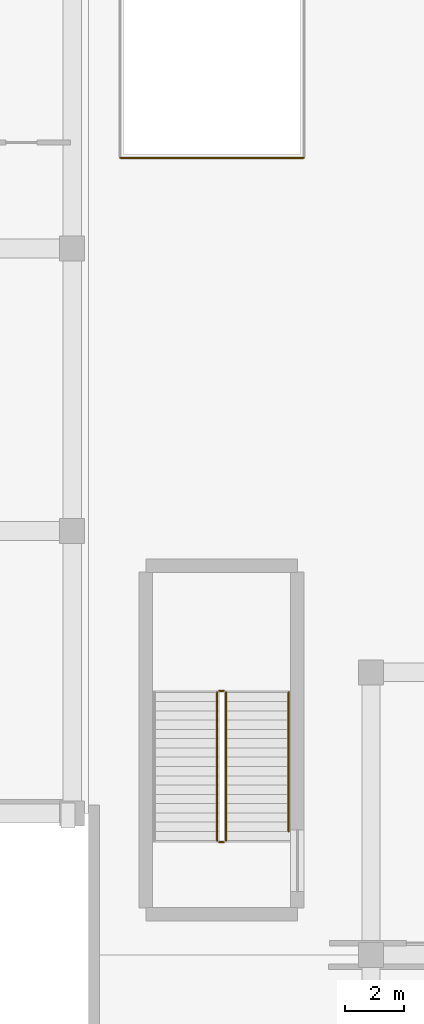
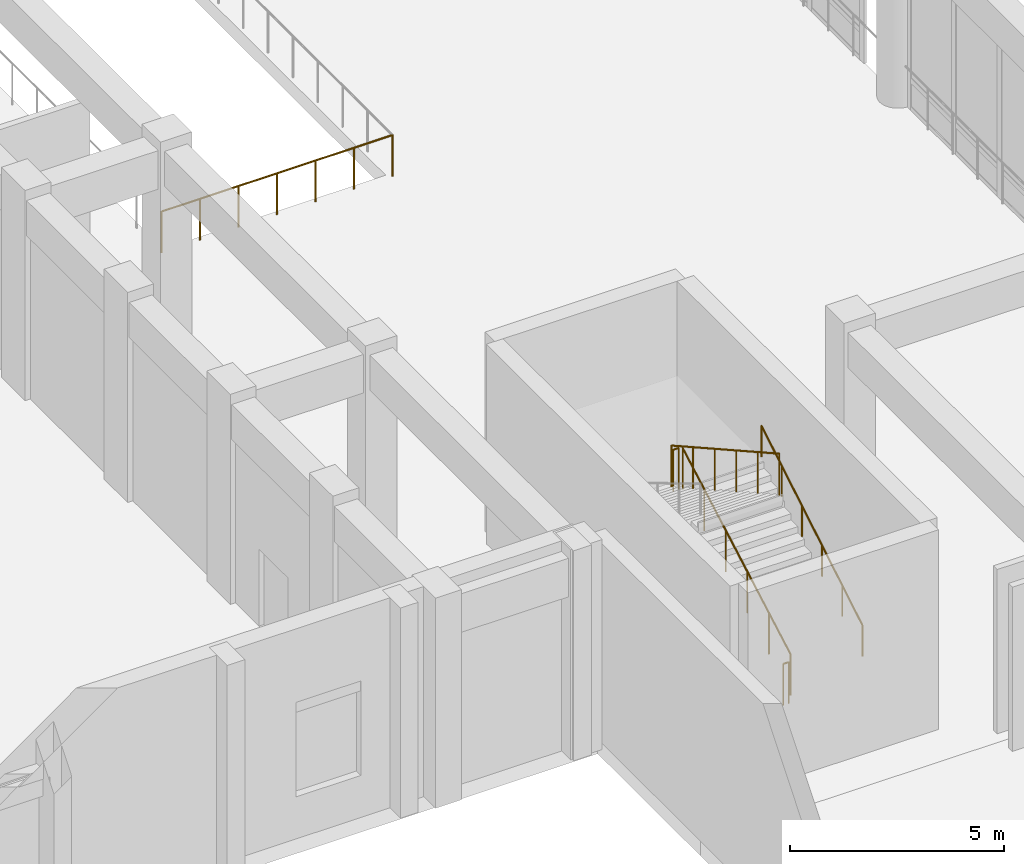
# One storey, part 66 of 87: 6 railings.
"""IFC4 building model written with IfcOpenShell, lengths in metres."""

from ifc_helpers import new_model, si_unit, direction, frame, origin, origin_2d, place, context, subcontext, project, spatial, circle, extrude, material, type_object, element, save


model = new_model("IFC4")

# Units and contexts
model_context = context("Model", 3, precision=1e-05, world=origin(), true_north=direction((0.0, 1.0)))
body_context = subcontext(model_context, "Body", "Model", "MODEL_VIEW")
ifc_project = project(units=[si_unit("LENGTHUNIT", "METRE"), si_unit("AREAUNIT", "SQUARE_METRE"), si_unit("VOLUMEUNIT", "CUBIC_METRE"), si_unit("PLANEANGLEUNIT", "RADIAN"), si_unit("MASSUNIT", "GRAM", prefix="KILO")], contexts=[model_context])

# Site, building, storey
site_placement = place(None, origin())
site = spatial("IfcSite", under=ifc_project, at=site_placement, CompositionType="ELEMENT")
building_placement = place(site_placement, origin())
building = spatial("IfcBuilding", under=site, at=building_placement, Name="Nakhvara Creek Congress Hotel", CompositionType="ELEMENT")
storey_placement = place(building_placement, origin())
storey = spatial("IfcBuildingStorey", under=building, at=storey_placement, Name="L00", CompositionType="ELEMENT", Elevation=0.0)

# Railings
ifc_material = material(Name="Brushed stainless steel 316L", Category="steel")
railing_type_1 = type_object("IfcRailingType", Name="RL-GUARD-1200", PredefinedType="GUARDRAIL", material=ifc_material)
railing_1_placement = place(storey_placement, frame((62.27490234375, 32.679931640625, 0.176513671875)))
element("IfcRailing", 1, at=railing_1_placement, inside=storey, type_object=railing_type_1, Name="L00 ST13 stair guard 1", PredefinedType="GUARDRAIL", context=body_context, shape_type="SweptSolid", body=[
    extrude(circle(Radius=0.02392578125, at=origin_2d()), frame((0.0, 0.012939453125, 1.18310546875), z_axis=(0.0, 0.872427454555, 0.488743630688), x_axis=(-1.0, 0.0, 0.0)), (0.0, 0.0, 1.0), 5.74755859375),
    extrude(circle(Radius=0.02099609375, at=origin_2d()), origin(), (0.0, 0.0, 1.0), 1.1806640625),
    extrude(circle(Radius=0.02099609375, at=origin_2d()), frame((0.0, 1.008056640625, 0.564697265625)), (0.0, 0.0, 1.0), 1.1806640625),
    extrude(circle(Radius=0.02099609375, at=origin_2d()), frame((0.0, 2.01611328125, 1.12939453125)), (0.0, 0.0, 1.0), 1.1806640625),
    extrude(circle(Radius=0.02099609375, at=origin_2d()), frame((0.0, 3.02392578125, 1.694091796875)), (0.0, 0.0, 1.0), 1.1806640625),
    extrude(circle(Radius=0.02099609375, at=origin_2d()), frame((0.0, 4.031982421875, 2.2587890625)), (0.0, 0.0, 1.0), 1.1806640625),
    extrude(circle(Radius=0.02099609375, at=origin_2d()), frame((0.0, 5.0400390625, 2.823486328125)), (0.0, 0.0, 1.0), 1.1806640625),
])
railing_2_placement = place(storey_placement, frame((62.199951171875, 37.77001953125, 3.0)))
element("IfcRailing", 2, at=railing_2_placement, inside=storey, type_object=railing_type_1, Name="L00 ST13 stair guard 2", PredefinedType="GUARDRAIL", context=body_context, shape_type="SweptSolid", body=[
    extrude(circle(Radius=0.02392578125, at=origin_2d()), frame((-0.0146484375, 0.0, 1.17578125), z_axis=(-1.0, 0.0, 0.0), x_axis=(0.0, -1.0, 0.0)), (0.0, 0.0, 1.0), 0.12060546875),
    extrude(circle(Radius=0.02099609375, at=origin_2d()), origin(), (0.0, 0.0, 1.0), 1.1806640625),
    extrude(circle(Radius=0.02099609375, at=origin_2d()), frame((-0.14990234375, 0.0, 0.0)), (0.0, 0.0, 1.0), 1.1806640625),
])
railing_3_placement = place(storey_placement, frame((61.97509765625, 37.719970703125, 3.176513671875)))
element("IfcRailing", 3, at=railing_3_placement, inside=storey, type_object=railing_type_1, Name="L00 ST13 stair guard 3", PredefinedType="GUARDRAIL", context=body_context, shape_type="SweptSolid", body=[
    extrude(circle(Radius=0.02392578125, at=origin_2d()), frame((0.0, -0.012939453125, 1.18310546875), z_axis=(0.0, -0.872427454555, 0.488743630688), x_axis=(1.0, 0.0, 0.0)), (0.0, 0.0, 1.0), 5.74755859375),
    extrude(circle(Radius=0.02099609375, at=origin_2d()), origin(), (0.0, 0.0, 1.0), 1.1806640625),
    extrude(circle(Radius=0.02099609375, at=origin_2d()), frame((0.0, -1.008056640625, 0.564697265625)), (0.0, 0.0, 1.0), 1.1806640625),
    extrude(circle(Radius=0.02099609375, at=origin_2d()), frame((0.0, -2.01611328125, 1.12939453125)), (0.0, 0.0, 1.0), 1.1806640625),
    extrude(circle(Radius=0.02099609375, at=origin_2d()), frame((0.0, -3.02392578125, 1.694091796875)), (0.0, 0.0, 1.0), 1.1806640625),
    extrude(circle(Radius=0.02099609375, at=origin_2d()), frame((0.0, -4.031982421875, 2.2587890625)), (0.0, 0.0, 1.0), 1.1806640625),
    extrude(circle(Radius=0.02099609375, at=origin_2d()), frame((0.0, -5.0400390625, 2.823486328125)), (0.0, 0.0, 1.0), 1.1806640625),
])
railing_4_placement = place(storey_placement, frame((62.199951171875, 32.6298828125, 0.0)))
element("IfcRailing", 4, at=railing_4_placement, inside=storey, type_object=railing_type_1, Name="L00 ST13 stair guard 4", PredefinedType="GUARDRAIL", context=body_context, shape_type="SweptSolid", body=[
    extrude(circle(Radius=0.02392578125, at=origin_2d()), frame((-0.0146484375, 0.0, 1.17578125), z_axis=(-1.0, 0.0, 0.0), x_axis=(0.0, -1.0, 0.0)), (0.0, 0.0, 1.0), 0.12060546875),
    extrude(circle(Radius=0.02099609375, at=origin_2d()), origin(), (0.0, 0.0, 1.0), 1.1806640625),
    extrude(circle(Radius=0.02099609375, at=origin_2d()), frame((-0.14990234375, 0.0, 0.0)), (0.0, 0.0, 1.0), 1.1806640625),
])
railing_5_placement = place(storey_placement, frame((58.679931640625, 55.8798828125, 0.0)))
element("IfcRailing", 5, at=railing_5_placement, inside=storey, type_object=railing_type_1, Name="Ramp Well Head Guard VR2-S", PredefinedType="GUARDRAIL", context=body_context, shape_type="SweptSolid", body=[
    extrude(circle(Radius=0.02392578125, at=origin_2d()), frame((0.0146484375, 0.0, 1.17578125), z_axis=(1.0, 0.0, 0.0), x_axis=(0.0, 1.0, 0.0)), (0.0, 0.0, 1.0), 6.210693359375),
    extrude(circle(Radius=0.02099609375, at=origin_2d()), origin(), (0.0, 0.0, 1.0), 1.1806640625),
    extrude(circle(Radius=0.02099609375, at=origin_2d()), frame((1.0400390625, 0.0, 0.0)), (0.0, 0.0, 1.0), 1.1806640625),
    extrude(circle(Radius=0.02099609375, at=origin_2d()), frame((2.080078125, 0.0, 0.0)), (0.0, 0.0, 1.0), 1.1806640625),
    extrude(circle(Radius=0.02099609375, at=origin_2d()), frame((3.1201171875, 0.0, 0.0)), (0.0, 0.0, 1.0), 1.1806640625),
    extrude(circle(Radius=0.02099609375, at=origin_2d()), frame((4.159912109375, 0.0, 0.0)), (0.0, 0.0, 1.0), 1.1806640625),
    extrude(circle(Radius=0.02099609375, at=origin_2d()), frame((5.199951171875, 0.0, 0.0)), (0.0, 0.0, 1.0), 1.1806640625),
    extrude(circle(Radius=0.02099609375, at=origin_2d()), frame((6.239990234375, 0.0, 0.0)), (0.0, 0.0, 1.0), 1.1806640625),
])
railing_type_2 = type_object("IfcRailingType", Name="RL-HAND-900", PredefinedType="HANDRAIL", material=ifc_material)
railing_6_placement = place(storey_placement, frame((64.405029296875, 32.9951171875, 0.35302734375)))
element("IfcRailing", 6, at=railing_6_placement, inside=storey, type_object=railing_type_2, Name="L00 ST13 stair handrail 1", PredefinedType="HANDRAIL", context=body_context, shape_type="SweptSolid", body=[
    extrude(circle(Radius=0.02392578125, at=origin_2d()), frame((0.0, 0.0126953125, 0.88330078125), z_axis=(0.0, 0.857528110924, 0.514437108863), x_axis=(-1.0, 0.0, 0.0)), (0.0, 0.0, 1.0), 5.48046875),
    extrude(circle(Radius=0.02099609375, at=origin_2d()), origin(), (0.0, 0.0, 1.0), 0.880615234375),
    extrude(circle(Radius=0.02099609375, at=origin_2d()), frame((0.0, 0.945068359375, 0.56689453125)), (0.0, 0.0, 1.0), 0.880615234375),
    extrude(circle(Radius=0.02099609375, at=origin_2d()), frame((0.0, 1.889892578125, 1.1337890625)), (0.0, 0.0, 1.0), 0.880615234375),
    extrude(circle(Radius=0.02099609375, at=origin_2d()), frame((0.0, 2.8349609375, 1.70068359375)), (0.0, 0.0, 1.0), 0.880615234375),
    extrude(circle(Radius=0.02099609375, at=origin_2d()), frame((0.0, 3.77978515625, 2.267578125)), (0.0, 0.0, 1.0), 0.880615234375),
    extrude(circle(Radius=0.02099609375, at=origin_2d()), frame((0.0, 4.724853515625, 2.83447265625)), (0.0, 0.0, 1.0), 0.880615234375),
])

save(model, "model.ifc")
